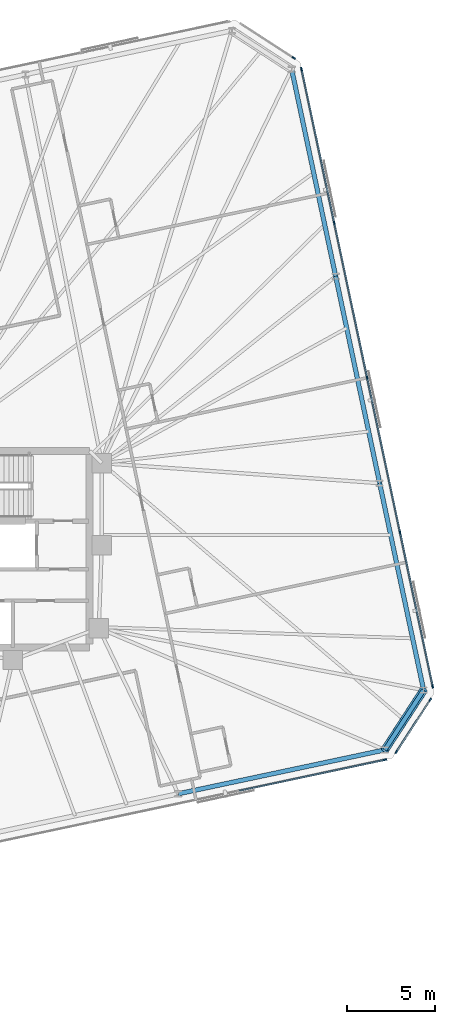
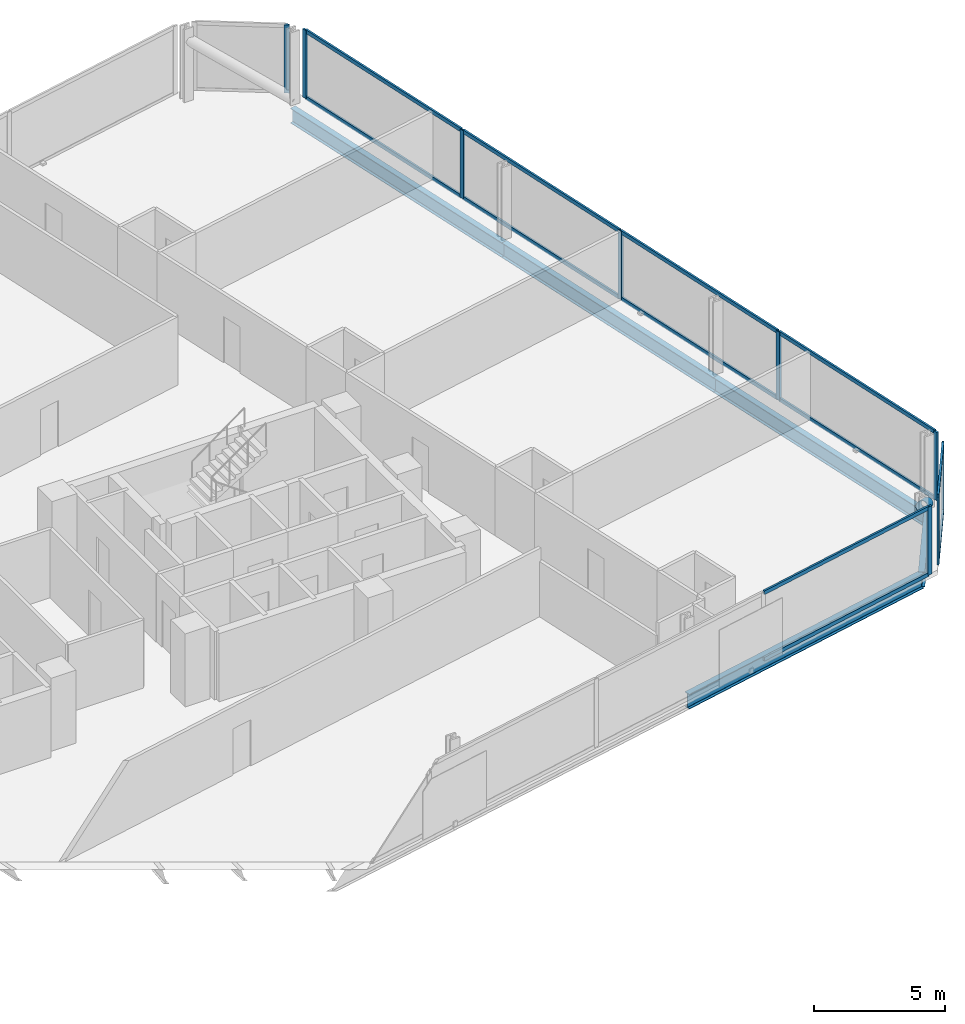
# One storey, part 12 of 19: 22 members, 5 beams, 4 elements without a shape of their own.
"""IFC4 building model written with IfcOpenShell, lengths in metres."""

from ifc_helpers import new_model, si_unit, direction, frame, origin, origin_2d, place, context, subcontext, project, spatial, rectangle, hollow_circle, i_section, extrude, material, material_profile, profile_set, type_object, element, aggregate, save


model = new_model("IFC4")

# Units and contexts
model_context = context("Model", 3, precision=1e-05, world=origin(), true_north=direction((0.0, 1.0)))
body_context = subcontext(model_context, "Body", "Model", "MODEL_VIEW")
ifc_project = project(units=[si_unit("LENGTHUNIT", "METRE"), si_unit("AREAUNIT", "SQUARE_METRE"), si_unit("VOLUMEUNIT", "CUBIC_METRE"), si_unit("PLANEANGLEUNIT", "RADIAN"), si_unit("MASSUNIT", "GRAM", prefix="KILO")], contexts=[model_context])

# Site, building, storey
site_placement = place(None, origin())
site = spatial("IfcSite", under=ifc_project, at=site_placement, CompositionType="ELEMENT")
building_placement = place(site_placement, origin())
building = spatial("IfcBuilding", under=site, at=building_placement, Name="Menara Jurai Vektor", CompositionType="ELEMENT")
storey_placement = place(building_placement, frame((0.0, 0.0, 171.800048828125)))
storey = spatial("IfcBuildingStorey", under=building, at=storey_placement, Name="L44", CompositionType="ELEMENT", Elevation=171.800048828125)

# Curtain wall, member
ifc_material_1 = material(Name="Anodised Pale Aluminium & Low-E Double Glazing", Category="aluminium")
curtain_wall_type = type_object("IfcCurtainWallType", Name="CW-BLK3", PredefinedType="NOTDEFINED", material=ifc_material_1)
curtain_wall_1_placement = place(storey_placement, origin())
curtain_wall_1 = element("IfcCurtainWall", 1, at=curtain_wall_1_placement, inside=storey, type_object=curtain_wall_type, Name="Unitised Curtain Wall L44 F01", PredefinedType="NOTDEFINED")
ifc_material_2 = material(Name="Anodised Pale Aluminium Mullion", Category="aluminium")
ifc_material_profile_1 = material_profile(ifc_material_2, rectangle(XDim=0.0849609375, YDim=0.205078125, at=origin_2d()), Name="ALU MUL 85x205")
ifc_profile_set_1 = profile_set([ifc_material_profile_1], Name="Anodised Pale Aluminium Mullion")
member_type_1 = type_object("IfcMemberType", Name="CW-BLK3-MUL", PredefinedType="MULLION", material=ifc_profile_set_1)
member_1_placement = place(storey_placement, frame((31.392578125, -11.99755859375, 0.0), z_axis=(0.0, 0.0, 1.0), x_axis=(-0.207911344156, 0.978147674419, 0.0)))
member_1 = element("IfcMember", 2, at=member_1_placement, type_object=member_type_1, Name="CW-03 mullion 8", PredefinedType="MULLION", context=body_context, shape_type="SweptSolid", body=[
    extrude(rectangle(XDim=0.0849609375, YDim=0.205078125, at=origin_2d()), origin(), (0.0, 0.0, 1.0), 3.175048828125),
])

# Curtain wall, members
curtain_wall_2_placement = place(storey_placement, origin())
curtain_wall_2 = element("IfcCurtainWall", 3, at=curtain_wall_2_placement, inside=storey, type_object=curtain_wall_type, Name="Unitised Curtain Wall L44 F02", PredefinedType="NOTDEFINED")
member_2_placement = place(storey_placement, frame((32.035888671875, -11.555419921875, 0.0), z_axis=(0.0, 0.0, 1.0), x_axis=(-0.838684361415, 0.544617794346, 0.0)))
member_2 = element("IfcMember", 4, at=member_2_placement, type_object=member_type_1, Name="CW-03 mullion 1", PredefinedType="MULLION", context=body_context, shape_type="SweptSolid", body=[
    extrude(rectangle(XDim=0.0849609375, YDim=0.205078125, at=origin_2d()), origin(), (0.0, 0.0, 1.0), 3.175048828125),
])
member_3_placement = place(storey_placement, frame((33.96337890625, -8.587158203125, 0.0), z_axis=(0.0, 0.0, 1.0), x_axis=(-0.838684361415, 0.544617794346, 0.0)))
member_3 = element("IfcMember", 5, at=member_3_placement, type_object=member_type_1, Name="CW-03 mullion 2", PredefinedType="MULLION", context=body_context, shape_type="SweptSolid", body=[
    extrude(rectangle(XDim=0.0849609375, YDim=0.205078125, at=origin_2d()), origin(), (0.0, 0.0, 1.0), 3.175048828125),
])

curtain_wall_3_placement = place(storey_placement, origin())
curtain_wall_3 = element("IfcCurtainWall", 6, at=curtain_wall_3_placement, inside=storey, type_object=curtain_wall_type, Name="Unitised Curtain Wall L44 F03", PredefinedType="NOTDEFINED")
member_4_placement = place(storey_placement, frame((34.105712890625, -7.819580078125, 0.0), z_axis=(0.0, 0.0, 1.0), x_axis=(-0.978147883949, -0.20791035839, 0.0)))
member_4 = element("IfcMember", 7, at=member_4_placement, type_object=member_type_1, Name="CW-03 mullion 1", PredefinedType="MULLION", context=body_context, shape_type="SweptSolid", body=[
    extrude(rectangle(XDim=0.0849609375, YDim=0.205078125, at=origin_2d()), origin(), (0.0, 0.0, 1.0), 3.175048828125),
])
member_5_placement = place(storey_placement, frame((32.2412109375, 0.951904296875, 0.0), z_axis=(0.0, 0.0, 1.0), x_axis=(-0.978147883949, -0.20791035839, 0.0)))
member_5 = element("IfcMember", 8, at=member_5_placement, type_object=member_type_1, Name="CW-03 mullion 2", PredefinedType="MULLION", context=body_context, shape_type="SweptSolid", body=[
    extrude(rectangle(XDim=0.0849609375, YDim=0.205078125, at=origin_2d()), origin(), (0.0, 0.0, 1.0), 3.175048828125),
])
member_6_placement = place(storey_placement, frame((30.367919921875, 9.76513671875, 0.0), z_axis=(0.0, 0.0, 1.0), x_axis=(-0.978147883949, -0.20791035839, 0.0)))
member_6 = element("IfcMember", 9, at=member_6_placement, type_object=member_type_1, Name="CW-03 mullion 3", PredefinedType="MULLION", context=body_context, shape_type="SweptSolid", body=[
    extrude(rectangle(XDim=0.0849609375, YDim=0.205078125, at=origin_2d()), origin(), (0.0, 0.0, 1.0), 3.175048828125),
])
member_7_placement = place(storey_placement, frame((28.49462890625, 18.578125, 0.0), z_axis=(0.0, 0.0, 1.0), x_axis=(-0.978147883949, -0.20791035839, 0.0)))
member_7 = element("IfcMember", 10, at=member_7_placement, type_object=member_type_1, Name="CW-03 mullion 4", PredefinedType="MULLION", context=body_context, shape_type="SweptSolid", body=[
    extrude(rectangle(XDim=0.0849609375, YDim=0.205078125, at=origin_2d()), origin(), (0.0, 0.0, 1.0), 3.175048828125),
])
member_8_placement = place(storey_placement, frame((26.630126953125, 27.349609375, 0.0), z_axis=(0.0, 0.0, 1.0), x_axis=(-0.978147883949, -0.20791035839, 0.0)))
member_8 = element("IfcMember", 11, at=member_8_placement, type_object=member_type_1, Name="CW-03 mullion 5", PredefinedType="MULLION", context=body_context, shape_type="SweptSolid", body=[
    extrude(rectangle(XDim=0.0849609375, YDim=0.205078125, at=origin_2d()), origin(), (0.0, 0.0, 1.0), 3.175048828125),
])

# Curtain wall, member
curtain_wall_4_placement = place(storey_placement, origin())
curtain_wall_4 = element("IfcCurtainWall", 12, at=curtain_wall_4_placement, inside=storey, type_object=curtain_wall_type, Name="Unitised Curtain Wall L44 F04", PredefinedType="NOTDEFINED")
member_9_placement = place(storey_placement, frame((26.18798828125, 27.9931640625, 0.0), z_axis=(0.0, 0.0, 1.0), x_axis=(-0.544617794346, -0.838684361415, 0.0)))
member_9 = element("IfcMember", 13, at=member_9_placement, type_object=member_type_1, Name="CW-03 mullion 1", PredefinedType="MULLION", context=body_context, shape_type="SweptSolid", body=[
    extrude(rectangle(XDim=0.0849609375, YDim=0.205078125, at=origin_2d()), origin(), (0.0, 0.0, 1.0), 3.175048828125),
])
aggregate(curtain_wall_4, [member_9])

# Member
ifc_material_3 = material(Name="Anodised Pale Aluminium Transom", Category="aluminium")
ifc_material_profile_2 = material_profile(ifc_material_3, rectangle(XDim=0.0849609375, YDim=0.175048828125, at=origin_2d()), Name="ALU TRN 85x175")
ifc_profile_set_2 = profile_set([ifc_material_profile_2], Name="Anodised Pale Aluminium Transom")
member_type_2 = type_object("IfcMemberType", Name="CW-BLK3-TRN", PredefinedType="USERDEFINED", material=ifc_profile_set_2)
member_10_placement = place(storey_placement, frame((23.0859375, -13.76318359375, 0.04248046875), z_axis=(0.978146953428, 0.207914736128, 0.0), x_axis=(-0.207914736128, 0.978146953428, 0.0)))
member_10 = element("IfcMember", 14, at=member_10_placement, type_object=member_type_2, Name="CW-03 transom 7.1", ObjectType="TRANSOM", PredefinedType="USERDEFINED", context=body_context, shape_type="SweptSolid", body=[
    extrude(rectangle(XDim=0.0849609375, YDim=0.175048828125, at=origin_2d()), origin(), (0.0, 0.0, 1.0), 8.44970703125),
])

member_11_placement = place(storey_placement, frame((23.0859375, -13.76318359375, 3.132568359375), z_axis=(0.978146953428, 0.207914736128, 0.0), x_axis=(-0.207914736128, 0.978146953428, 0.0)))
member_11 = element("IfcMember", 15, at=member_11_placement, type_object=member_type_2, Name="CW-03 transom 7.2", ObjectType="TRANSOM", PredefinedType="USERDEFINED", context=body_context, shape_type="SweptSolid", body=[
    extrude(rectangle(XDim=0.0849609375, YDim=0.175048828125, at=origin_2d()), origin(), (0.0, 0.0, 1.0), 8.44970703125),
])

aggregate(curtain_wall_1, [member_1, member_10, member_11])

member_12_placement = place(storey_placement, frame((32.05908203125, -11.519775390625, 0.04248046875), z_axis=(0.54459575764, 0.838698671014, 0.0), x_axis=(-0.838698671014, 0.54459575764, 0.0)))
member_12 = element("IfcMember", 16, at=member_12_placement, type_object=member_type_2, Name="CW-03 transom 1.1", ObjectType="TRANSOM", PredefinedType="USERDEFINED", context=body_context, shape_type="SweptSolid", body=[
    extrude(rectangle(XDim=0.0849609375, YDim=0.175048828125, at=origin_2d()), origin(), (0.0, 0.0, 1.0), 3.4541015625),
])

member_13_placement = place(storey_placement, frame((32.05908203125, -11.519775390625, 3.132568359375), z_axis=(0.54459575764, 0.838698671014, 0.0), x_axis=(-0.838698671014, 0.54459575764, 0.0)))
member_13 = element("IfcMember", 17, at=member_13_placement, type_object=member_type_2, Name="CW-03 transom 1.2", ObjectType="TRANSOM", PredefinedType="USERDEFINED", context=body_context, shape_type="SweptSolid", body=[
    extrude(rectangle(XDim=0.0849609375, YDim=0.175048828125, at=origin_2d()), origin(), (0.0, 0.0, 1.0), 3.4541015625),
])

aggregate(curtain_wall_2, [member_2, member_3, member_12, member_13])

member_14_placement = place(storey_placement, frame((34.096923828125, -7.778076171875, 0.04248046875), z_axis=(-0.207925814542, 0.978144598537, 0.0), x_axis=(-0.978144598537, -0.207925814542, 0.0)))
member_14 = element("IfcMember", 18, at=member_14_placement, type_object=member_type_2, Name="CW-03 transom 1.1", ObjectType="TRANSOM", PredefinedType="USERDEFINED", context=body_context, shape_type="SweptSolid", body=[
    extrude(rectangle(XDim=0.0849609375, YDim=0.175048828125, at=origin_2d()), origin(), (0.0, 0.0, 1.0), 8.882568359375),
])

member_15_placement = place(storey_placement, frame((34.096923828125, -7.778076171875, 3.132568359375), z_axis=(-0.207925814542, 0.978144598537, 0.0), x_axis=(-0.978144598537, -0.207925814542, 0.0)))
member_15 = element("IfcMember", 19, at=member_15_placement, type_object=member_type_2, Name="CW-03 transom 1.2", ObjectType="TRANSOM", PredefinedType="USERDEFINED", context=body_context, shape_type="SweptSolid", body=[
    extrude(rectangle(XDim=0.0849609375, YDim=0.175048828125, at=origin_2d()), origin(), (0.0, 0.0, 1.0), 8.882568359375),
])

member_16_placement = place(storey_placement, frame((32.232421875, 0.993408203125, 0.04248046875), z_axis=(-0.207922224243, 0.978145361726, 0.0), x_axis=(-0.978145361726, -0.207922224243, 0.0)))
member_16 = element("IfcMember", 20, at=member_16_placement, type_object=member_type_2, Name="CW-03 transom 2.1", ObjectType="TRANSOM", PredefinedType="USERDEFINED", context=body_context, shape_type="SweptSolid", body=[
    extrude(rectangle(XDim=0.0849609375, YDim=0.175048828125, at=origin_2d()), origin(), (0.0, 0.0, 1.0), 8.925048828125),
])

member_17_placement = place(storey_placement, frame((32.232421875, 0.993408203125, 3.132568359375), z_axis=(-0.207922224243, 0.978145361726, 0.0), x_axis=(-0.978145361726, -0.207922224243, 0.0)))
member_17 = element("IfcMember", 21, at=member_17_placement, type_object=member_type_2, Name="CW-03 transom 2.2", ObjectType="TRANSOM", PredefinedType="USERDEFINED", context=body_context, shape_type="SweptSolid", body=[
    extrude(rectangle(XDim=0.0849609375, YDim=0.175048828125, at=origin_2d()), origin(), (0.0, 0.0, 1.0), 8.925048828125),
])

member_18_placement = place(storey_placement, frame((30.359130859375, 9.806640625, 0.04248046875), z_axis=(-0.207922224243, 0.978145361726, 0.0), x_axis=(-0.978145361726, -0.207922224243, 0.0)))
member_18 = element("IfcMember", 22, at=member_18_placement, type_object=member_type_2, Name="CW-03 transom 3.1", ObjectType="TRANSOM", PredefinedType="USERDEFINED", context=body_context, shape_type="SweptSolid", body=[
    extrude(rectangle(XDim=0.0849609375, YDim=0.175048828125, at=origin_2d()), origin(), (0.0, 0.0, 1.0), 8.925048828125),
])

member_19_placement = place(storey_placement, frame((30.359130859375, 9.806640625, 3.132568359375), z_axis=(-0.207922224243, 0.978145361726, 0.0), x_axis=(-0.978145361726, -0.207922224243, 0.0)))
member_19 = element("IfcMember", 23, at=member_19_placement, type_object=member_type_2, Name="CW-03 transom 3.2", ObjectType="TRANSOM", PredefinedType="USERDEFINED", context=body_context, shape_type="SweptSolid", body=[
    extrude(rectangle(XDim=0.0849609375, YDim=0.175048828125, at=origin_2d()), origin(), (0.0, 0.0, 1.0), 8.925048828125),
])

member_20_placement = place(storey_placement, frame((28.48583984375, 18.61962890625, 0.04248046875), z_axis=(-0.207899517354, 0.978150188204, 0.0), x_axis=(-0.978150188204, -0.207899517354, 0.0)))
member_20 = element("IfcMember", 24, at=member_20_placement, type_object=member_type_2, Name="CW-03 transom 4.1", ObjectType="TRANSOM", PredefinedType="USERDEFINED", context=body_context, shape_type="SweptSolid", body=[
    extrude(rectangle(XDim=0.0849609375, YDim=0.175048828125, at=origin_2d()), origin(), (0.0, 0.0, 1.0), 8.882568359375),
])

member_21_placement = place(storey_placement, frame((28.48583984375, 18.61962890625, 3.132568359375), z_axis=(-0.207899517354, 0.978150188204, 0.0), x_axis=(-0.978150188204, -0.207899517354, 0.0)))
member_21 = element("IfcMember", 25, at=member_21_placement, type_object=member_type_2, Name="CW-03 transom 4.2", ObjectType="TRANSOM", PredefinedType="USERDEFINED", context=body_context, shape_type="SweptSolid", body=[
    extrude(rectangle(XDim=0.0849609375, YDim=0.175048828125, at=origin_2d()), origin(), (0.0, 0.0, 1.0), 8.882568359375),
])

aggregate(curtain_wall_3, [member_4, member_5, member_6, member_7, member_8, member_14, member_15, member_16, member_17, member_18, member_19, member_20, member_21])

ifc_material_4 = material(Name="Steel S460", Category="steel")
ifc_material_profile_3 = material_profile(ifc_material_4, hollow_circle(Radius=0.228515625, WallThickness=0.01611328125, at=origin_2d()), Name="CHS 457x16")
ifc_profile_set_3 = profile_set([ifc_material_profile_3], Name="Steel S460")
member_type_3 = type_object("IfcMemberType", Name="STR-BR-457", PredefinedType="BRACE", material=ifc_profile_set_3)
member_22_placement = place(storey_placement, frame((33.588623046875, -8.031982421875, 0.14990234375), z_axis=(-0.454871874024, -0.700428396616, 0.549992399435), x_axis=(0.838665998507, -0.544646071268, 0.0)))
element("IfcMember", 26, at=member_22_placement, inside=storey, type_object=member_type_3, Name="Exoskeleton Corner Brace L44-1", PredefinedType="BRACE", context=body_context, shape_type="SweptSolid", body=[
    extrude(hollow_circle(Radius=0.228515625, WallThickness=0.01611328125, at=origin_2d()), origin(), (0.0, 0.0, 1.0), 4.86376953125),
])

# Beams
ifc_material_profile_4 = material_profile(ifc_material_4, i_section(OverallWidth=0.256103515625, OverallDepth=0.693115234375, WebThickness=0.013916015625, FlangeThickness=0.02392578125, FilletRadius=0.014892578125, at=origin_2d()), Name="UKB 686x254x170")
ifc_profile_set_4 = profile_set([ifc_material_profile_4], Name="Steel S460")
beam_type = type_object("IfcBeamType", Name="STR-SP-686", PredefinedType="SPANDREL", material=ifc_profile_set_4)
beam_1_placement = place(storey_placement, frame((19.608154296875, -13.940185546875, -0.571533203125), z_axis=(0.97814616202, 0.207918459318, 0.0), x_axis=(-0.207918459318, 0.97814616202, 0.0)))
element("IfcBeam", 27, at=beam_1_placement, inside=storey, type_object=beam_type, Name="Exoskeleton Spandrel Beam L44-05", PredefinedType="SPANDREL", context=body_context, shape_type="SweptSolid", body=[
    extrude(i_section(OverallWidth=0.256103515625, OverallDepth=0.693115234375, WebThickness=0.013916015625, FlangeThickness=0.02392578125, FilletRadius=0.014892578125, at=origin_2d()), origin(), (0.0, 0.0, 1.0), 12.031005859375),
])
beam_2_placement = place(storey_placement, frame((31.376220703125, -11.438720703125, -0.571533203125), z_axis=(0.544646071268, 0.838665998507, 0.0), x_axis=(-0.838665998507, 0.544646071268, 0.0)))
element("IfcBeam", 28, at=beam_2_placement, inside=storey, type_object=beam_type, Name="Exoskeleton Spandrel Beam L44-06", PredefinedType="SPANDREL", context=body_context, shape_type="SweptSolid", body=[
    extrude(i_section(OverallWidth=0.256103515625, OverallDepth=0.693115234375, WebThickness=0.013916015625, FlangeThickness=0.02392578125, FilletRadius=0.014892578125, at=origin_2d()), origin(), (0.0, 0.0, 1.0), 4.06201171875),
])
beam_3_placement = place(storey_placement, frame((33.588623046875, -8.031982421875, -0.571533203125), z_axis=(-0.207925382659, 0.978144690343, 0.0), x_axis=(-0.978144690343, -0.207925382659, 0.0)))
element("IfcBeam", 29, at=beam_3_placement, inside=storey, type_object=beam_type, Name="Exoskeleton Spandrel Beam L44-07", PredefinedType="SPANDREL", context=body_context, shape_type="SweptSolid", body=[
    extrude(i_section(OverallWidth=0.256103515625, OverallDepth=0.693115234375, WebThickness=0.013916015625, FlangeThickness=0.02392578125, FilletRadius=0.014892578125, at=origin_2d()), origin(), (0.0, 0.0, 1.0), 12.0517578125),
])
for number, where, z_axis, x_axis, name in (
    (30, (31.082763671875, 3.75634765625, -0.571533203125), (-0.207901880993, 0.978149685825, 0.0), (-0.978149685825, -0.207901880993, 0.0), "Exoskeleton Spandrel Beam L44-08"),
    (31, (28.5771484375, 15.544921875, -0.571533203125), (-0.207921262698, 0.978145566119, 0.0), (-0.978145566119, -0.207921262698, 0.0), "Exoskeleton Spandrel Beam L44-09"),
):
    element("IfcBeam", number, at=place(storey_placement, frame(where, z_axis=z_axis, x_axis=x_axis)), inside=storey, type_object=beam_type, Name=name, PredefinedType="SPANDREL", context=body_context, shape_type="SweptSolid", body=[
        extrude(i_section(OverallWidth=0.256103515625, OverallDepth=0.693115234375, WebThickness=0.013916015625, FlangeThickness=0.02392578125, FilletRadius=0.014892578125, at=origin_2d()), origin(), (0.0, 0.0, 1.0), 12.052001953125),
    ])

save(model, "model.ifc")
